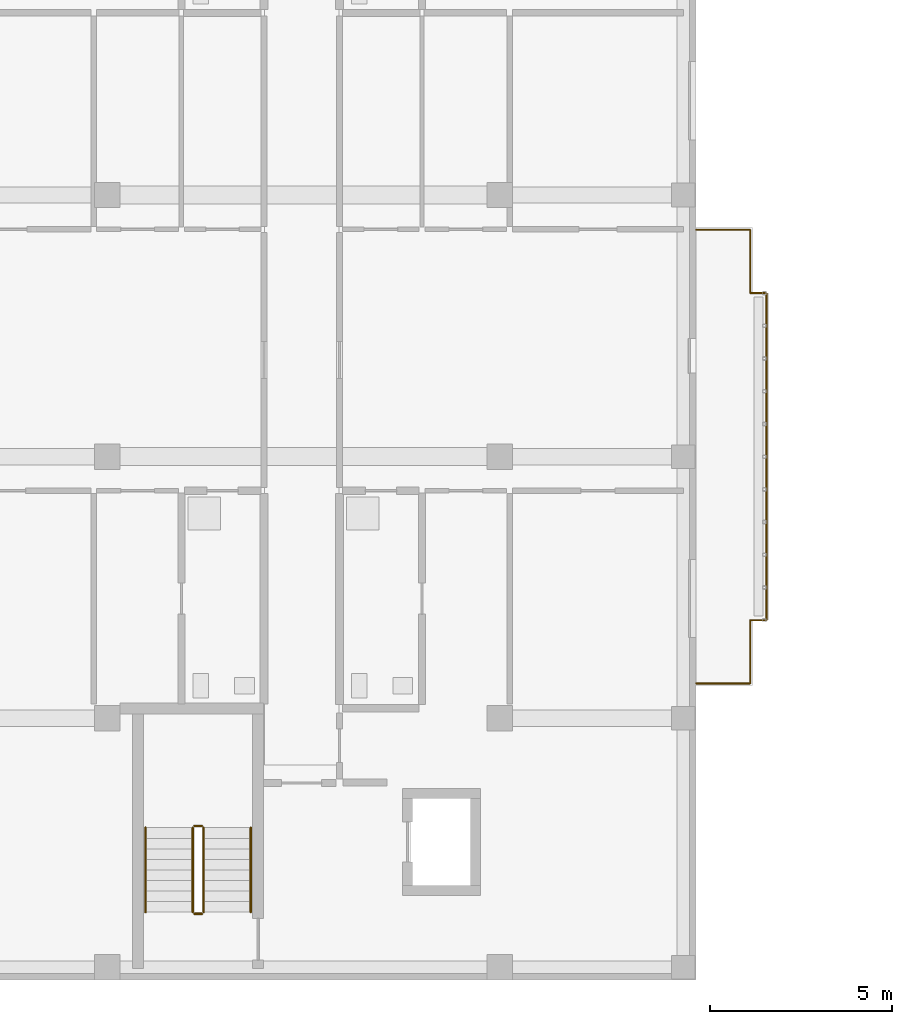
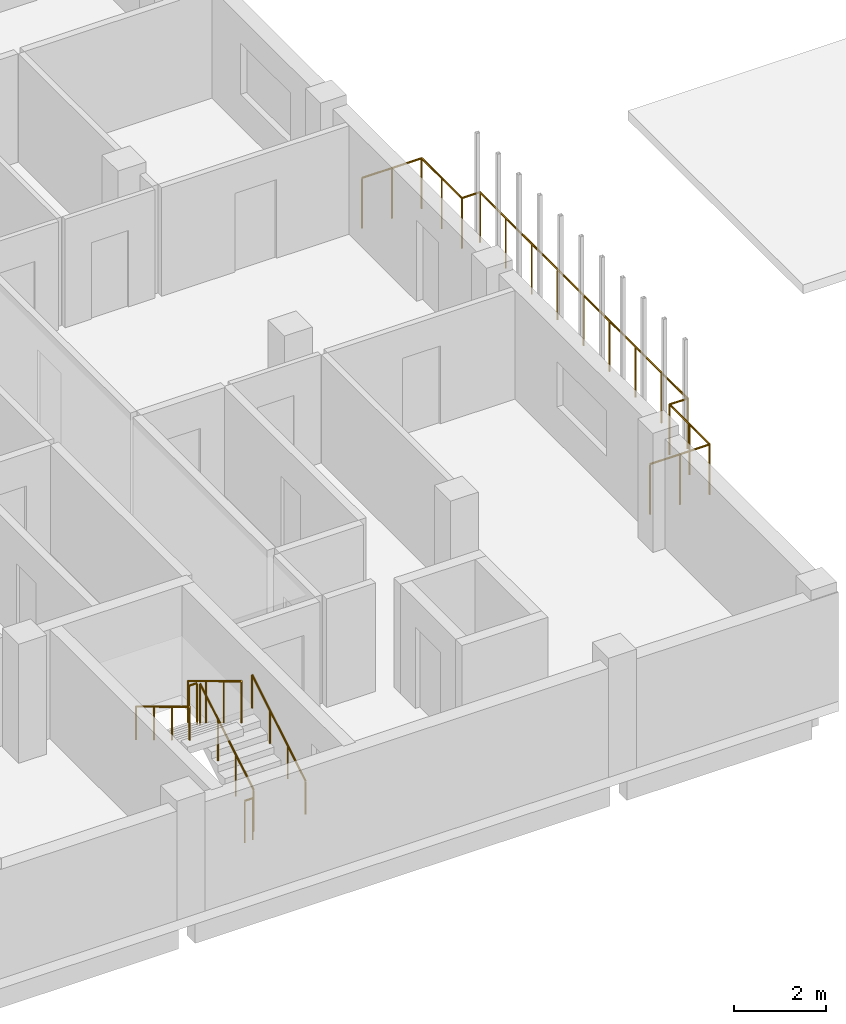
# One storey, part 39 of 51: 7 railings.
"""IFC4 building model written with IfcOpenShell, lengths in metres."""

import ifcopenshell
import ifcopenshell.guid

model = None  # the IFC model being written
_history = None  # IfcOwnerHistory: only IFC2X3 demands one
_inside = {}  # id of a spatial element -> (the spatial element, [elements in it])
_under = {}  # id of a project, library or spatial element -> (it, [spatial elements below it])
_declared = {}  # id of a project -> (the project, [libraries it declares])
_typed = {}  # id of a type object -> (the type object, [elements of that type])
_made_of = {}  # id of a material, layer set ... -> (it, [elements and type objects made of it])


def new_model(schema):
    """Start an empty IFC model of exactly this schema.

    Asked for "IFC4X3", IfcOpenShell would pick the latest addendum, in which some entities
    have other attributes; the version numbers below select the first issue.
    IFC2X3 requires an IfcOwnerHistory on every rooted entity: one is made here for all.
    """
    global model, _history
    if schema == "IFC4X3":
        model = ifcopenshell.file(schema_version=(4, 3, 0, 0))
    else:
        model = ifcopenshell.file(schema=schema)
    _inside.clear()
    _under.clear()
    _declared.clear()
    _typed.clear()
    _made_of.clear()
    _history = None
    if model.schema == "IFC2X3":
        org = make("IfcOrganization", Name="unknown")
        user = make(
            "IfcPersonAndOrganization",
            ThePerson=make("IfcPerson", FamilyName="unknown"),
            TheOrganization=org,
        )
        app = make(
            "IfcApplication",
            ApplicationDeveloper=org,
            Version="unknown",
            ApplicationFullName="unknown",
            ApplicationIdentifier="unknown",
        )
        _history = make(
            "IfcOwnerHistory",
            OwningUser=user,
            OwningApplication=app,
            ChangeAction="ADDED",
            CreationDate=0,
        )
    return model


def make(cls, **values):
    """One entity of the class cls with the attributes given. An attribute that is None is left unset."""
    return model.create_entity(
        cls, **{name: value for name, value in values.items() if value is not None}
    )


def rooted(cls, **values):
    """An entity with a GlobalId (a new one), such as an element, a storey or a relation."""
    return make(cls, GlobalId=ifcopenshell.guid.new(), OwnerHistory=_history, **values)


def si_unit(unit_type, name, prefix=None):
    """IfcSIUnit, for example si_unit("LENGTHUNIT", "METRE", prefix="MILLI")."""
    return make("IfcSIUnit", UnitType=unit_type, Prefix=prefix, Name=name)


def derived_unit(unit_type, elements):
    """IfcDerivedUnit: a product of units, each with its exponent."""
    return make(
        "IfcDerivedUnit",
        Elements=[
            make("IfcDerivedUnitElement", Unit=unit, Exponent=power)
            for unit, power in elements
        ],
        UnitType=unit_type,
    )


def assignment(units):
    """IfcUnitAssignment: the units of a project."""
    return None if units is None else make("IfcUnitAssignment", Units=units)


def point(xyz):
    """IfcCartesianPoint."""
    return None if xyz is None else make("IfcCartesianPoint", Coordinates=xyz)


def direction(xyz):
    """IfcDirection."""
    return None if xyz is None else make("IfcDirection", DirectionRatios=xyz)


def frame(location, z_axis=None, x_axis=None):
    """IfcAxis2Placement3D, a coordinate frame: its origin and axes. An axis left out is left unset."""
    return make(
        "IfcAxis2Placement3D",
        Location=point(location),
        Axis=direction(z_axis),
        RefDirection=direction(x_axis),
    )


def frame_2d(location, x_axis=None):
    """IfcAxis2Placement2D, a coordinate frame in the plane: its origin and x axis."""
    return make(
        "IfcAxis2Placement2D", Location=point(location), RefDirection=direction(x_axis)
    )


def origin():
    """The frame at (0, 0, 0) with its axes left unset."""
    return frame((0.0, 0.0, 0.0))


def origin_2d():
    """The frame at (0, 0) in the plane with its x axis left unset."""
    return frame_2d((0.0, 0.0))


def place(relative_to, where):
    """IfcLocalPlacement: puts the frame where relative to a parent placement (None: the world)."""
    return make(
        "IfcLocalPlacement", PlacementRelTo=relative_to, RelativePlacement=where
    )


def context(
    kind, dimensions, precision=None, world=None, true_north=None, identifier=None
):
    """IfcGeometricRepresentationContext, for example the 3D "Model" context."""
    return make(
        "IfcGeometricRepresentationContext",
        ContextIdentifier=identifier,
        ContextType=kind,
        CoordinateSpaceDimension=dimensions,
        Precision=precision,
        WorldCoordinateSystem=world,
        TrueNorth=true_north,
    )


def subcontext(parent, identifier, kind, view, scale=None):
    """IfcGeometricRepresentationSubContext, for example "Body" below "Model"."""
    return make(
        "IfcGeometricRepresentationSubContext",
        ContextIdentifier=identifier,
        ContextType=kind,
        ParentContext=parent,
        TargetScale=scale,
        TargetView=view,
    )


def project(units=None, contexts=None):
    """IfcProject with its units and contexts."""
    return rooted(
        "IfcProject",
        Name="project",
        RepresentationContexts=contexts,
        UnitsInContext=assignment(units),
    )


def spatial(cls, under=None, at=None, **own):
    """A site, building, storey or space (cls), placed at a placement, below another one or the project."""
    s = rooted(cls, ObjectPlacement=at, **own)
    if under is not None:
        _under.setdefault(under.id(), (under, []))[1].append(s)
    return s


def profile(cls, at=None, kind="AREA", **sizes):
    """A parametric profile (cls). Its sizes go by their IFC names, for example OverallWidth=200.0."""
    return make(cls, ProfileType=kind, Position=at, **sizes)


def circle(**sizes):
    """IfcCircleProfileDef."""
    return profile("IfcCircleProfileDef", **sizes)


def extrude(swept, where, along, depth):
    """IfcExtrudedAreaSolid: the profile swept, set in the frame where, extruded along a direction by depth."""
    return make(
        "IfcExtrudedAreaSolid",
        SweptArea=swept,
        Position=where,
        ExtrudedDirection=direction(along),
        Depth=depth,
    )


def shape(context_of_items, identifier, shape_type, items):
    """IfcShapeRepresentation: the items that make up one representation, for example the "Body"."""
    return make(
        "IfcShapeRepresentation",
        ContextOfItems=context_of_items,
        RepresentationIdentifier=identifier,
        RepresentationType=shape_type,
        Items=items,
    )


def material(Name=None, Category=None):
    """IfcMaterial."""
    return make("IfcMaterial", Name=Name, Category=Category)


def made_of(thing, what):
    """Note that an element or type object is made of a material, layer set ...; save() writes the relation."""
    if what is not None:
        _made_of.setdefault(what.id(), (what, []))[1].append(thing)
    return thing


def type_object(cls, material=None, **own):
    """A type object (cls), such as IfcWallType, which elements share."""
    return made_of(rooted(cls, **own), material)


def element(
    cls,
    number,
    at=None,
    inside=None,
    cuts=None,
    type_object=None,
    material=None,
    context=None,
    identifier="Body",
    shape_type=None,
    held_by="IfcProductDefinitionShape",
    body=None,
    shapes=None,
    **own,
):
    """One element of the class cls, such as IfcWall. Its Tag is "e" and its number.

    at: its placement. inside: the storey or other place that contains it. cuts: it is an
    opening in that element (IfcRelVoidsElement). A single representation is given by context,
    identifier, shape_type and body (its items); several are given by shapes. held_by: the class
    of the entity that holds the representations. save() writes the other relations.
    """
    e = rooted(cls, Tag="e%d" % number, ObjectPlacement=at, **own)
    if body is not None:
        shapes = [shape(context, identifier, shape_type, body)]
    if shapes is not None:
        e.Representation = make(held_by, Representations=shapes)
    if inside is not None:
        _inside.setdefault(inside.id(), (inside, []))[1].append(e)
    if cuts is not None:
        rooted(
            "IfcRelVoidsElement", RelatingBuildingElement=cuts, RelatedOpeningElement=e
        )
    if type_object is not None:
        _typed.setdefault(type_object.id(), (type_object, []))[1].append(e)
    return made_of(e, material)


def aggregate(whole, parts):
    """IfcRelAggregates: a whole, such as a stair, and the parts it consists of."""
    return rooted("IfcRelAggregates", RelatingObject=whole, RelatedObjects=parts)


def save(model, path):
    """Write the relations noted so far, then the file.

    IfcRelAggregates (storeys below a building ...), IfcRelContainedInSpatialStructure (elements
    in a storey), IfcRelDefinesByType, IfcRelAssociatesMaterial and IfcRelDeclares: one each for
    every whole, place, type object, material and project.
    """
    for whole, parts in _under.values():
        aggregate(whole, parts)
    for where, things in _inside.values():
        rooted(
            "IfcRelContainedInSpatialStructure",
            RelatedElements=things,
            RelatingStructure=where,
        )
    for kind, things in _typed.values():
        rooted("IfcRelDefinesByType", RelatedObjects=things, RelatingType=kind)
    for what, things in _made_of.values():
        rooted("IfcRelAssociatesMaterial", RelatedObjects=things, RelatingMaterial=what)
    for by, libraries in _declared.values():
        rooted("IfcRelDeclares", RelatingContext=by, RelatedDefinitions=libraries)
    model.write(path)


model = new_model("IFC4")

# Units and contexts
model_context = context("Model", 3, precision=1e-05, world=origin(), true_north=direction((0.0, 1.0)))
body_context = subcontext(model_context, "Body", "Model", "MODEL_VIEW")
ifc_project = project(units=[si_unit("LENGTHUNIT", "METRE"), si_unit("AREAUNIT", "SQUARE_METRE"), si_unit("VOLUMEUNIT", "CUBIC_METRE"), si_unit("PLANEANGLEUNIT", "RADIAN"), si_unit("MASSUNIT", "GRAM", prefix="KILO"), derived_unit("THERMALTRANSMITTANCEUNIT", [(si_unit("MASSUNIT", "GRAM", prefix="KILO"), 1), (si_unit("TIMEUNIT", "SECOND"), -3), (si_unit("THERMODYNAMICTEMPERATUREUNIT", "KELVIN"), -1)])], contexts=[model_context])

# Site, building, storey
site_placement = place(None, origin())
site = spatial("IfcSite", under=ifc_project, at=site_placement, CompositionType="ELEMENT")
building_placement = place(site_placement, origin())
building = spatial("IfcBuilding", under=site, at=building_placement, Name="Ochrekiln Boulevard Commons", CompositionType="ELEMENT")
storey_placement = place(building_placement, frame((0.0, 0.0, 15.22509765625)))
storey = spatial("IfcBuildingStorey", under=building, at=storey_placement, Name="L04", CompositionType="ELEMENT", Elevation=15.22509765625)

# Railings
ifc_material_1 = material(Name="Bronze-anodized extruded aluminium 6063-T6", Category="aluminium")
railing_type_1 = type_object("IfcRailingType", Name="RLG-BAL-1350", PredefinedType="BALUSTRADE", material=ifc_material_1)
railing_1_placement = place(storey_placement, frame((21.60009765625, 8.159912109375, 0.0)))
element("IfcRailing", 1, at=railing_1_placement, inside=storey, type_object=railing_type_1, Name="Block D L04 Balcony Guard Balustrade 1", PredefinedType="BALUSTRADE", context=body_context, shape_type="SweptSolid", body=[
    extrude(circle(Radius=0.02392578125, at=origin_2d()), frame((0.0, 0.0, 1.326171875), z_axis=(1.0, 0.0, 0.0), x_axis=(0.0, 1.0, 0.0)), (0.0, 0.0, 1.0), 1.489990234375),
    extrude(circle(Radius=0.02392578125, at=origin_2d()), frame((1.489990234375, 0.0, 1.326171875), z_axis=(0.0, 1.0, 0.0), x_axis=(-1.0, 0.0, 0.0)), (0.0, 0.0, 1.0), 1.739990234375),
    extrude(circle(Radius=0.02392578125, at=origin_2d()), frame((1.489990234375, 1.739990234375, 1.326171875), z_axis=(1.0, 0.0, 0.0), x_axis=(0.0, 1.0, 0.0)), (0.0, 0.0, 1.0), 0.449951171875),
    extrude(circle(Radius=0.02392578125, at=origin_2d()), frame((1.93994140625, 1.739990234375, 1.326171875), z_axis=(0.0, 1.0, 0.0), x_axis=(-1.0, 0.0, 0.0)), (0.0, 0.0, 1.0), 9.0),
    extrude(circle(Radius=0.02392578125, at=origin_2d()), frame((1.93994140625, 10.739990234375, 1.326171875), z_axis=(-1.0, 0.0, 0.0), x_axis=(0.0, -1.0, 0.0)), (0.0, 0.0, 1.0), 0.449951171875),
    extrude(circle(Radius=0.02392578125, at=origin_2d()), frame((1.489990234375, 10.739990234375, 1.326171875), z_axis=(0.0, 1.0, 0.0), x_axis=(-1.0, 0.0, 0.0)), (0.0, 0.0, 1.0), 1.739990234375),
    extrude(circle(Radius=0.02392578125, at=origin_2d()), frame((1.489990234375, 12.47998046875, 1.326171875), z_axis=(-1.0, 0.0, 0.0), x_axis=(0.0, -1.0, 0.0)), (0.0, 0.0, 1.0), 1.489990234375),
    extrude(circle(Radius=0.02099609375, at=origin_2d()), origin(), (0.0, 0.0, 1.0), 1.302001953125),
    extrude(circle(Radius=0.02099609375, at=origin_2d()), frame((0.7451171875, 0.0, 0.0)), (0.0, 0.0, 1.0), 1.302001953125),
    extrude(circle(Radius=0.02099609375, at=origin_2d()), frame((1.489990234375, 0.0, 0.0)), (0.0, 0.0, 1.0), 1.302001953125),
    extrude(circle(Radius=0.02099609375, at=origin_2d()), frame((1.489990234375, 0.8701171875, 0.0)), (0.0, 0.0, 1.0), 1.302001953125),
    extrude(circle(Radius=0.02099609375, at=origin_2d()), frame((1.489990234375, 1.739990234375, 0.0)), (0.0, 0.0, 1.0), 1.302001953125),
    extrude(circle(Radius=0.02099609375, at=origin_2d()), frame((1.93994140625, 1.739990234375, 0.0)), (0.0, 0.0, 1.0), 1.302001953125),
    extrude(circle(Radius=0.02099609375, at=origin_2d()), frame((1.93994140625, 2.864990234375, 0.0)), (0.0, 0.0, 1.0), 1.302001953125),
    extrude(circle(Radius=0.02099609375, at=origin_2d()), frame((1.93994140625, 3.989990234375, 0.0)), (0.0, 0.0, 1.0), 1.302001953125),
    extrude(circle(Radius=0.02099609375, at=origin_2d()), frame((1.93994140625, 5.114990234375, 0.0)), (0.0, 0.0, 1.0), 1.302001953125),
    extrude(circle(Radius=0.02099609375, at=origin_2d()), frame((1.93994140625, 6.239990234375, 0.0)), (0.0, 0.0, 1.0), 1.302001953125),
    extrude(circle(Radius=0.02099609375, at=origin_2d()), frame((1.93994140625, 7.364990234375, 0.0)), (0.0, 0.0, 1.0), 1.302001953125),
    extrude(circle(Radius=0.02099609375, at=origin_2d()), frame((1.93994140625, 8.489990234375, 0.0)), (0.0, 0.0, 1.0), 1.302001953125),
    extrude(circle(Radius=0.02099609375, at=origin_2d()), frame((1.93994140625, 9.614990234375, 0.0)), (0.0, 0.0, 1.0), 1.302001953125),
    extrude(circle(Radius=0.02099609375, at=origin_2d()), frame((1.93994140625, 10.739990234375, 0.0)), (0.0, 0.0, 1.0), 1.302001953125),
    extrude(circle(Radius=0.02099609375, at=origin_2d()), frame((1.489990234375, 10.739990234375, 0.0)), (0.0, 0.0, 1.0), 1.302001953125),
    extrude(circle(Radius=0.02099609375, at=origin_2d()), frame((1.489990234375, 11.60986328125, 0.0)), (0.0, 0.0, 1.0), 1.302001953125),
    extrude(circle(Radius=0.02099609375, at=origin_2d()), frame((1.489990234375, 12.47998046875, 0.0)), (0.0, 0.0, 1.0), 1.302001953125),
    extrude(circle(Radius=0.02099609375, at=origin_2d()), frame((0.7451171875, 12.47998046875, 0.0)), (0.0, 0.0, 1.0), 1.302001953125),
    extrude(circle(Radius=0.02099609375, at=origin_2d()), frame((0.0, 12.47998046875, 0.0)), (0.0, 0.0, 1.0), 1.302001953125),
])
ifc_material_2 = material(Name="Brushed stainless steel 316 tubular railing", Category="steel")
railing_type_2 = type_object("IfcRailingType", Name="RLG-HDR-900", PredefinedType="HANDRAIL", material=ifc_material_2)
railing_2_placement = place(storey_placement, frame((9.35009765625, 1.8701171875, 0.1748046875)))
element("IfcRailing", 2, at=railing_2_placement, inside=storey, type_object=railing_type_2, Name="L04 ST-D1 stair handrail 1", PredefinedType="HANDRAIL", context=body_context, shape_type="SweptSolid", body=[
    extrude(circle(Radius=0.02392578125, at=origin_2d()), frame((0.0, 0.0, 0.8759765625), z_axis=(0.0, 0.856146426353, 0.516733293531), x_axis=(-1.0, 0.0, 0.0)), (0.0, 0.0, 1.0), 2.709716796875),
    extrude(circle(Radius=0.02099609375, at=origin_2d()), origin(), (0.0, 0.0, 1.0), 0.851806640625),
    extrude(circle(Radius=0.02099609375, at=origin_2d()), frame((0.0, 0.773193359375, 0.466796875)), (0.0, 0.0, 1.0), 0.851806640625),
    extrude(circle(Radius=0.02099609375, at=origin_2d()), frame((0.0, 1.546630859375, 0.933349609375)), (0.0, 0.0, 1.0), 0.851806640625),
    extrude(circle(Radius=0.02099609375, at=origin_2d()), frame((0.0, 2.31982421875, 1.400146484375)), (0.0, 0.0, 1.0), 0.851806640625),
])
railing_3_placement = place(storey_placement, frame((6.449951171875, 4.18994140625, 1.75)))
element("IfcRailing", 3, at=railing_3_placement, inside=storey, type_object=railing_type_2, Name="L04 ST-D1 stair handrail 2", PredefinedType="HANDRAIL", context=body_context, shape_type="SweptSolid", body=[
    extrude(circle(Radius=0.02392578125, at=origin_2d()), frame((0.0, 0.0, 0.8759765625), z_axis=(0.0, -0.856186286599, 0.516667245565), x_axis=(1.0, 0.0, 0.0)), (0.0, 0.0, 1.0), 2.70947265625),
    extrude(circle(Radius=0.02099609375, at=origin_2d()), origin(), (0.0, 0.0, 1.0), 0.851806640625),
    extrude(circle(Radius=0.02099609375, at=origin_2d()), frame((0.0, -0.773193359375, 0.466552734375)), (0.0, 0.0, 1.0), 0.851806640625),
    extrude(circle(Radius=0.02099609375, at=origin_2d()), frame((0.0, -1.546630859375, 0.933349609375)), (0.0, 0.0, 1.0), 0.851806640625),
    extrude(circle(Radius=0.02099609375, at=origin_2d()), frame((0.0, -2.31982421875, 1.39990234375)), (0.0, 0.0, 1.0), 0.851806640625),
])
railing_type_3 = type_object("IfcRailingType", Name="RLG-STR-1120", PredefinedType="BALUSTRADE", material=ifc_material_2)
railing_4_placement = place(storey_placement, frame((8.050048828125, 1.8701171875, 0.1748046875)))
element("IfcRailing", 4, at=railing_4_placement, inside=storey, type_object=railing_type_3, Name="L04 ST-D1 stair guard 1", PredefinedType="BALUSTRADE", context=body_context, shape_type="SweptSolid", body=[
    extrude(circle(Radius=0.02392578125, at=origin_2d()), frame((0.0, 0.0, 1.09619140625), z_axis=(0.0, 0.856146426353, 0.516733293531), x_axis=(-1.0, 0.0, 0.0)), (0.0, 0.0, 1.0), 2.709716796875),
    extrude(circle(Radius=0.02099609375, at=origin_2d()), origin(), (0.0, 0.0, 1.0), 1.072021484375),
    extrude(circle(Radius=0.02099609375, at=origin_2d()), frame((0.0, 0.773193359375, 0.466796875)), (0.0, 0.0, 1.0), 1.072021484375),
    extrude(circle(Radius=0.02099609375, at=origin_2d()), frame((0.0, 1.546630859375, 0.933349609375)), (0.0, 0.0, 1.0), 1.072021484375),
    extrude(circle(Radius=0.02099609375, at=origin_2d()), frame((0.0, 2.31982421875, 1.400146484375)), (0.0, 0.0, 1.0), 1.072021484375),
])
railing_5_placement = place(storey_placement, frame((8.0, 4.239990234375, 1.574951171875)))
element("IfcRailing", 5, at=railing_5_placement, inside=storey, type_object=railing_type_3, Name="L04 ST-D1 stair guard 2", PredefinedType="BALUSTRADE", context=body_context, shape_type="SweptSolid", body=[
    extrude(circle(Radius=0.02392578125, at=origin_2d()), frame((0.0, 0.0, 1.09619140625), z_axis=(-1.0, 0.0, 0.0), x_axis=(0.0, -1.0, 0.0)), (0.0, 0.0, 1.0), 0.199951171875),
    extrude(circle(Radius=0.02099609375, at=origin_2d()), origin(), (0.0, 0.0, 1.0), 1.072021484375),
    extrude(circle(Radius=0.02099609375, at=origin_2d()), frame((-0.199951171875, 0.0, 0.0)), (0.0, 0.0, 1.0), 1.072021484375),
])
railing_6_placement = place(storey_placement, frame((7.75, 4.18994140625, 1.75)))
element("IfcRailing", 6, at=railing_6_placement, inside=storey, type_object=railing_type_3, Name="L04 ST-D1 stair guard 3", PredefinedType="BALUSTRADE", context=body_context, shape_type="SweptSolid", body=[
    extrude(circle(Radius=0.02392578125, at=origin_2d()), frame((0.0, 0.0, 1.09619140625), z_axis=(0.0, -0.856186286599, 0.516667245565), x_axis=(1.0, 0.0, 0.0)), (0.0, 0.0, 1.0), 2.70947265625),
    extrude(circle(Radius=0.02099609375, at=origin_2d()), origin(), (0.0, 0.0, 1.0), 1.072021484375),
    extrude(circle(Radius=0.02099609375, at=origin_2d()), frame((0.0, -0.773193359375, 0.466552734375)), (0.0, 0.0, 1.0), 1.072021484375),
    extrude(circle(Radius=0.02099609375, at=origin_2d()), frame((0.0, -1.546630859375, 0.933349609375)), (0.0, 0.0, 1.0), 1.072021484375),
    extrude(circle(Radius=0.02099609375, at=origin_2d()), frame((0.0, -2.31982421875, 1.39990234375)), (0.0, 0.0, 1.0), 1.072021484375),
])
railing_7_placement = place(storey_placement, frame((8.0, 1.820068359375, 0.0)))
element("IfcRailing", 7, at=railing_7_placement, inside=storey, type_object=railing_type_3, Name="L04 ST-D1 stair guard 4", PredefinedType="BALUSTRADE", context=body_context, shape_type="SweptSolid", body=[
    extrude(circle(Radius=0.02392578125, at=origin_2d()), frame((0.0, 0.0, 1.09619140625), z_axis=(-1.0, 0.0, 0.0), x_axis=(0.0, -1.0, 0.0)), (0.0, 0.0, 1.0), 0.199951171875),
    extrude(circle(Radius=0.02099609375, at=origin_2d()), origin(), (0.0, 0.0, 1.0), 1.072021484375),
    extrude(circle(Radius=0.02099609375, at=origin_2d()), frame((-0.199951171875, 0.0, 0.0)), (0.0, 0.0, 1.0), 1.072021484375),
])

save(model, "model.ifc")
